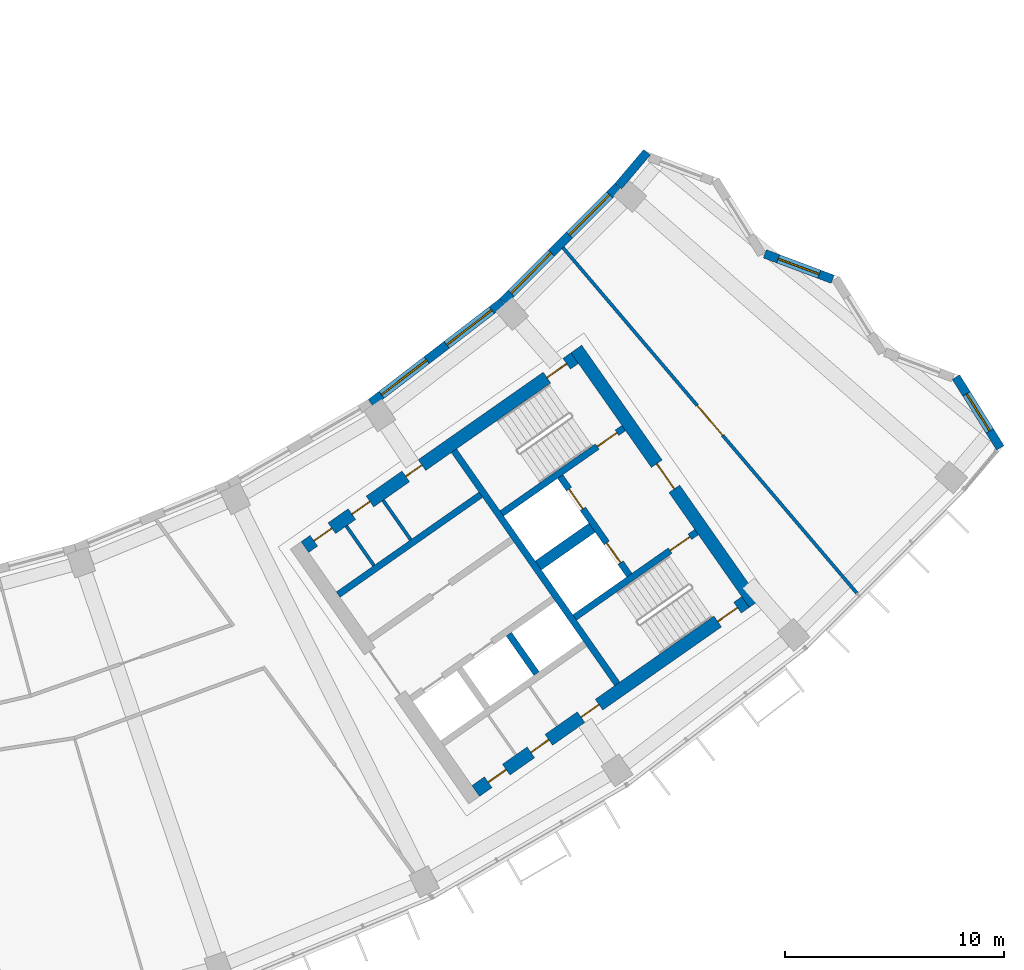
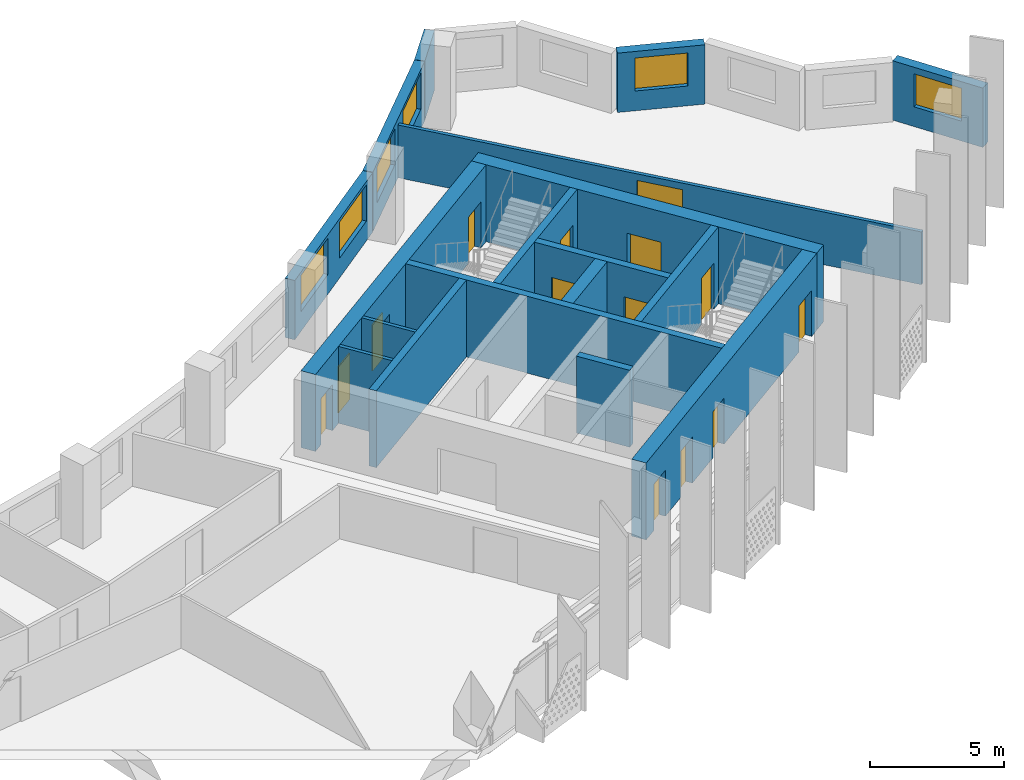
# One storey, part 7 of 28: 18 walls, 14 doors, 6 windows, 20 openings.
"""IFC4 building model written with IfcOpenShell, lengths in metres."""

from ifc_helpers import new_model, si_unit, direction, frame, frame_2d, origin, place, context, subcontext, project, spatial, rectangle, extrude, material, layer, layer_set, type_object, element, fill, save


model = new_model("IFC4")

# Units and contexts
model_context = context("Model", 3, precision=1e-05, world=origin(), true_north=direction((0.0, 1.0)))
body_context = subcontext(model_context, "Body", "Model", "MODEL_VIEW")
ifc_project = project(units=[si_unit("LENGTHUNIT", "METRE"), si_unit("AREAUNIT", "SQUARE_METRE"), si_unit("VOLUMEUNIT", "CUBIC_METRE"), si_unit("PLANEANGLEUNIT", "RADIAN"), si_unit("MASSUNIT", "GRAM", prefix="KILO")], contexts=[model_context])

# Site, building, storey
site_placement = place(None, origin())
site = spatial("IfcSite", under=ifc_project, at=site_placement, CompositionType="ELEMENT")
building_placement = place(site_placement, origin())
building = spatial("IfcBuilding", under=site, at=building_placement, Name="Qamariyya Broadcast Tower", CompositionType="ELEMENT")
storey_placement = place(building_placement, frame((0.0, 0.0, 226.5)))
storey = spatial("IfcBuildingStorey", under=building, at=storey_placement, Name="L54", CompositionType="ELEMENT", Elevation=226.5)

# Wall, opening, door
ifc_material_1 = material(Name="Concrete C60/75", Category="concrete")
ifc_layer_1 = layer(ifc_material_1, 0.60009765625)
ifc_layer_set_1 = layer_set([ifc_layer_1], Name="Core wall 600 mm Concrete C60/75")
wall_type_1 = type_object("IfcWallType", Name="Core wall 600 mm Concrete C60/75", PredefinedType="SHEAR", material=ifc_layer_set_1)
wall_1_placement = place(storey_placement, frame((49.4833984375, -57.031494140625, 0.0), z_axis=(0.0, 0.0, 1.0), x_axis=(-0.573560421458, 0.819163257805, 0.0)))
wall_1 = element("IfcWall", 1, at=wall_1_placement, inside=storey, type_object=wall_type_1, Name="k-E-L54-WH", PredefinedType="SHEAR", context=body_context, shape_type="SweptSolid", body=[
    extrude(rectangle(XDim=14.199951171875, YDim=0.60009765625, at=frame_2d((7.10009765625, 0.0))), origin(), (0.0, 0.0, 1.0), 3.5),
])
opening_1_placement = place(wall_1_placement, frame((6.39990234375, 0.0, 0.0)))
opening_1 = element("IfcOpeningElement", 2, at=opening_1_placement, cuts=wall_1, Name="Opening KD2-E1", PredefinedType="OPENING", context=body_context, shape_type="SweptSolid", body=[
    extrude(rectangle(XDim=1.39990234375, YDim=2.10009765625, at=frame_2d((0.699951171875, 1.050048828125))), frame((0.0, 0.31005859375, 0.0), z_axis=(0.0, -1.0, 0.0), x_axis=(1.0, 0.0, 0.0)), (0.0, 0.0, 1.0), 0.6201171875),
])
ifc_material_2 = material(Name="Steel fire-resisting door leaf", Category="steel")
door_type_1 = type_object("IfcDoorType", Name="Fire-fighting lobby door KD2", OperationType="DOUBLE_DOOR_SINGLE_SWING", PredefinedType="DOOR", material=ifc_material_2)
door_1_placement = place(opening_1_placement, origin())
door_1 = element("IfcDoor", 3, at=door_1_placement, inside=storey, type_object=door_type_1, Name="k-E-L54-WH-D13", OperationType="DOUBLE_DOOR_SINGLE_SWING", OverallHeight=2.10009765625, OverallWidth=1.39990234375, PredefinedType="DOOR", context=body_context, shape_type="SweptSolid", body=[
    extrude(rectangle(XDim=1.39990234375, YDim=2.10009765625, at=frame_2d((0.699951171875, 1.050048828125))), frame((0.0, 0.02490234375, 0.0), z_axis=(0.0, -1.0, 0.0), x_axis=(1.0, 0.0, 0.0)), (0.0, 0.0, 1.0), 0.050048828125),
])
fill(opening_1, door_1)

# Wall, openings, doors
wall_2_placement = place(storey_placement, frame((28.940673828125, -54.447021484375, 0.0), z_axis=(0.0, 0.0, 1.0), x_axis=(0.819153391756, 0.573574511963, 0.0)))
wall_2 = element("IfcWall", 4, at=wall_2_placement, inside=storey, type_object=wall_type_1, Name="k-E-L54-WI", PredefinedType="SHEAR", context=body_context, shape_type="SweptSolid", body=[
    extrude(rectangle(XDim=15.04541015625, YDim=0.60009765625, at=frame_2d((7.522705078125, 0.0))), origin(), (0.0, 0.0, 1.0), 3.5),
])
opening_2_placement = place(wall_2_placement, frame((0.5, 0.0, 0.0)))
opening_2 = element("IfcOpeningElement", 5, at=opening_2_placement, cuts=wall_2, Name="Opening KD6-E2", PredefinedType="OPENING", context=body_context, shape_type="SweptSolid", body=[
    extrude(rectangle(XDim=1.0, YDim=2.10009765625, at=frame_2d((0.5, 1.050048828125))), frame((0.0, 0.31005859375, 0.0), z_axis=(0.0, -1.0, 0.0), x_axis=(1.0, 0.0, 0.0)), (0.0, 0.0, 1.0), 0.6201171875),
])
opening_3_placement = place(wall_2_placement, frame((2.625, 0.0, 0.0)))
opening_3 = element("IfcOpeningElement", 6, at=opening_3_placement, cuts=wall_2, Name="Opening KD7-E1", PredefinedType="OPENING", context=body_context, shape_type="SweptSolid", body=[
    extrude(rectangle(XDim=1.0, YDim=2.10009765625, at=frame_2d((0.5, 1.050048828125))), frame((0.0, 0.31005859375, 0.0), z_axis=(0.0, -1.0, 0.0), x_axis=(1.0, 0.0, 0.0)), (0.0, 0.0, 1.0), 0.6201171875),
])
opening_4_placement = place(wall_2_placement, frame((5.625, 0.0, 0.0)))
opening_4 = element("IfcOpeningElement", 7, at=opening_4_placement, cuts=wall_2, Name="Opening KD5-E1", PredefinedType="OPENING", context=body_context, shape_type="SweptSolid", body=[
    extrude(rectangle(XDim=0.89990234375, YDim=2.10009765625, at=frame_2d((0.449951171875, 1.050048828125))), frame((0.0, 0.31005859375, 0.0), z_axis=(0.0, -1.0, 0.0), x_axis=(1.0, 0.0, 0.0)), (0.0, 0.0, 1.0), 0.6201171875),
])
opening_5_placement = place(wall_2_placement, frame((13.495361328125, 0.0, 0.0)))
opening_5 = element("IfcOpeningElement", 8, at=opening_5_placement, cuts=wall_2, Name="Opening KD1-E1", PredefinedType="OPENING", context=body_context, shape_type="SweptSolid", body=[
    extrude(rectangle(XDim=1.10009765625, YDim=2.10009765625, at=frame_2d((0.550048828125, 1.050048828125))), frame((0.0, 0.31005859375, 0.0), z_axis=(0.0, -1.0, 0.0), x_axis=(1.0, 0.0, 0.0)), (0.0, 0.0, 1.0), 0.6201171875),
])
door_type_2 = type_object("IfcDoorType", Name="Accessible toilet door KD7", OperationType="SINGLE_SWING_LEFT", PredefinedType="DOOR", material=ifc_material_2)
door_2_placement = place(opening_3_placement, origin())
door_2 = element("IfcDoor", 9, at=door_2_placement, inside=storey, type_object=door_type_2, Name="k-E-L54-WI-D6", OperationType="SINGLE_SWING_RIGHT", OverallHeight=2.10009765625, OverallWidth=1.0, PredefinedType="DOOR", context=body_context, shape_type="SweptSolid", body=[
    extrude(rectangle(XDim=1.0, YDim=2.10009765625, at=frame_2d((0.5, 1.050048828125))), frame((0.0, 0.02490234375, 0.0), z_axis=(0.0, -1.0, 0.0), x_axis=(1.0, 0.0, 0.0)), (0.0, 0.0, 1.0), 0.050048828125),
])
fill(opening_3, door_2)
door_type_3 = type_object("IfcDoorType", Name="Core room door KD6", OperationType="SINGLE_SWING_LEFT", PredefinedType="DOOR", material=ifc_material_2)
door_3_placement = place(opening_2_placement, origin())
door_3 = element("IfcDoor", 10, at=door_3_placement, inside=storey, type_object=door_type_3, Name="k-E-L54-WI-D5", OperationType="SINGLE_SWING_LEFT", OverallHeight=2.10009765625, OverallWidth=1.0, PredefinedType="DOOR", context=body_context, shape_type="SweptSolid", body=[
    extrude(rectangle(XDim=1.0, YDim=2.10009765625, at=frame_2d((0.5, 1.050048828125))), frame((0.0, 0.02490234375, 0.0), z_axis=(0.0, -1.0, 0.0), x_axis=(1.0, 0.0, 0.0)), (0.0, 0.0, 1.0), 0.050048828125),
])
fill(opening_2, door_3)
door_type_4 = type_object("IfcDoorType", Name="Stair door KD1", OperationType="SINGLE_SWING_LEFT", PredefinedType="DOOR", material=ifc_material_2)
door_4_placement = place(opening_5_placement, origin())
door_4 = element("IfcDoor", 11, at=door_4_placement, inside=storey, type_object=door_type_4, Name="k-E-L54-WI-D14", OperationType="SINGLE_SWING_RIGHT", OverallHeight=2.10009765625, OverallWidth=1.10009765625, PredefinedType="DOOR", context=body_context, shape_type="SweptSolid", body=[
    extrude(rectangle(XDim=1.10009765625, YDim=2.10009765625, at=frame_2d((0.550048828125, 1.050048828125))), frame((0.0, 0.02490234375, 0.0), z_axis=(0.0, -1.0, 0.0), x_axis=(1.0, 0.0, 0.0)), (0.0, 0.0, 1.0), 0.050048828125),
])
fill(opening_5, door_4)
door_type_5 = type_object("IfcDoorType", Name="Toilet door KD5", OperationType="SINGLE_SWING_LEFT", PredefinedType="DOOR", material=ifc_material_2)
door_5_placement = place(opening_4_placement, origin())
door_5 = element("IfcDoor", 12, at=door_5_placement, inside=storey, type_object=door_type_5, Name="k-E-L54-WI-D7", OperationType="SINGLE_SWING_LEFT", OverallHeight=2.10009765625, OverallWidth=0.89990234375, PredefinedType="DOOR", context=body_context, shape_type="SweptSolid", body=[
    extrude(rectangle(XDim=0.89990234375, YDim=2.10009765625, at=frame_2d((0.449951171875, 1.050048828125))), frame((0.0, 0.02490234375, 0.0), z_axis=(0.0, -1.0, 0.0), x_axis=(1.0, 0.0, 0.0)), (0.0, 0.0, 1.0), 0.050048828125),
])
fill(opening_4, door_5)

wall_3_placement = place(storey_placement, frame((36.7412109375, -65.58740234375, 0.0), z_axis=(0.0, 0.0, 1.0), x_axis=(0.819153391756, 0.573574511963, 0.0)))
wall_3 = element("IfcWall", 13, at=wall_3_placement, inside=storey, type_object=wall_type_1, Name="k-E-L54-WO", PredefinedType="SHEAR", context=body_context, shape_type="SweptSolid", body=[
    extrude(rectangle(XDim=15.04541015625, YDim=0.60009765625, at=frame_2d((7.522705078125, 0.0))), origin(), (0.0, 0.0, 1.0), 3.5),
])
opening_6_placement = place(wall_3_placement, frame((0.699951171875, 0.0, 0.0)))
opening_6 = element("IfcOpeningElement", 14, at=opening_6_placement, cuts=wall_3, Name="Opening KD6-E3", PredefinedType="OPENING", context=body_context, shape_type="SweptSolid", body=[
    extrude(rectangle(XDim=1.0, YDim=2.10009765625, at=frame_2d((0.5, 1.050048828125))), frame((0.0, 0.31005859375, 0.0), z_axis=(0.0, -1.0, 0.0), x_axis=(1.0, 0.0, 0.0)), (0.0, 0.0, 1.0), 0.6201171875),
])
opening_7_placement = place(wall_3_placement, frame((3.074951171875, 0.0, 0.0)))
opening_7 = element("IfcOpeningElement", 15, at=opening_7_placement, cuts=wall_3, Name="Opening KD4-E1", PredefinedType="OPENING", context=body_context, shape_type="SweptSolid", body=[
    extrude(rectangle(XDim=1.0, YDim=2.10009765625, at=frame_2d((0.5, 1.050048828125))), frame((0.0, 0.31005859375, 0.0), z_axis=(0.0, -1.0, 0.0), x_axis=(1.0, 0.0, 0.0)), (0.0, 0.0, 1.0), 0.6201171875),
])
opening_8_placement = place(wall_3_placement, frame((5.875, 0.0, 0.0)))
opening_8 = element("IfcOpeningElement", 16, at=opening_8_placement, cuts=wall_3, Name="Opening KD4-E2", PredefinedType="OPENING", context=body_context, shape_type="SweptSolid", body=[
    extrude(rectangle(XDim=1.0, YDim=2.10009765625, at=frame_2d((0.5, 1.050048828125))), frame((0.0, 0.31005859375, 0.0), z_axis=(0.0, -1.0, 0.0), x_axis=(1.0, 0.0, 0.0)), (0.0, 0.0, 1.0), 0.6201171875),
])
opening_9_placement = place(wall_3_placement, frame((13.495361328125, 0.0, 0.0)))
opening_9 = element("IfcOpeningElement", 17, at=opening_9_placement, cuts=wall_3, Name="Opening KD1-E3", PredefinedType="OPENING", context=body_context, shape_type="SweptSolid", body=[
    extrude(rectangle(XDim=1.10009765625, YDim=2.10009765625, at=frame_2d((0.550048828125, 1.050048828125))), frame((0.0, 0.31005859375, 0.0), z_axis=(0.0, -1.0, 0.0), x_axis=(1.0, 0.0, 0.0)), (0.0, 0.0, 1.0), 0.6201171875),
])
door_6_placement = place(opening_6_placement, origin())
door_6 = element("IfcDoor", 18, at=door_6_placement, inside=storey, type_object=door_type_3, Name="k-E-L54-WO-D8", OperationType="SINGLE_SWING_RIGHT", OverallHeight=2.10009765625, OverallWidth=1.0, PredefinedType="DOOR", context=body_context, shape_type="SweptSolid", body=[
    extrude(rectangle(XDim=1.0, YDim=2.10009765625, at=frame_2d((0.5, 1.050048828125))), frame((0.0, 0.02490234375, 0.0), z_axis=(0.0, -1.0, 0.0), x_axis=(1.0, 0.0, 0.0)), (0.0, 0.0, 1.0), 0.050048828125),
])
fill(opening_6, door_6)
door_type_6 = type_object("IfcDoorType", Name="Riser and plant door KD4", OperationType="SINGLE_SWING_LEFT", PredefinedType="DOOR", material=ifc_material_2)
door_7_placement = place(opening_7_placement, origin())
door_7 = element("IfcDoor", 19, at=door_7_placement, inside=storey, type_object=door_type_6, Name="k-E-L54-WO-D9", OperationType="SINGLE_SWING_LEFT", OverallHeight=2.10009765625, OverallWidth=1.0, PredefinedType="DOOR", context=body_context, shape_type="SweptSolid", body=[
    extrude(rectangle(XDim=1.0, YDim=2.10009765625, at=frame_2d((0.5, 1.050048828125))), frame((0.0, 0.02490234375, 0.0), z_axis=(0.0, -1.0, 0.0), x_axis=(1.0, 0.0, 0.0)), (0.0, 0.0, 1.0), 0.050048828125),
])
fill(opening_7, door_7)
door_8_placement = place(opening_8_placement, origin())
door_8 = element("IfcDoor", 20, at=door_8_placement, inside=storey, type_object=door_type_6, Name="k-E-L54-WO-D10", OperationType="SINGLE_SWING_RIGHT", OverallHeight=2.10009765625, OverallWidth=1.0, PredefinedType="DOOR", context=body_context, shape_type="SweptSolid", body=[
    extrude(rectangle(XDim=1.0, YDim=2.10009765625, at=frame_2d((0.5, 1.050048828125))), frame((0.0, 0.02490234375, 0.0), z_axis=(0.0, -1.0, 0.0), x_axis=(1.0, 0.0, 0.0)), (0.0, 0.0, 1.0), 0.050048828125),
])
fill(opening_8, door_8)
door_9_placement = place(opening_9_placement, origin())
door_9 = element("IfcDoor", 21, at=door_9_placement, inside=storey, type_object=door_type_4, Name="k-E-L54-WO-D16", OperationType="SINGLE_SWING_LEFT", OverallHeight=2.10009765625, OverallWidth=1.10009765625, PredefinedType="DOOR", context=body_context, shape_type="SweptSolid", body=[
    extrude(rectangle(XDim=1.10009765625, YDim=2.10009765625, at=frame_2d((0.550048828125, 1.050048828125))), frame((0.0, 0.02490234375, 0.0), z_axis=(0.0, -1.0, 0.0), x_axis=(1.0, 0.0, 0.0)), (0.0, 0.0, 1.0), 0.050048828125),
])
fill(opening_9, door_9)

# Wall, opening, door
ifc_material_3 = material(Name="Gypsum board partition")
ifc_layer_2 = layer(ifc_material_3, 0.14990234375)
ifc_layer_set_2 = layer_set([ifc_layer_2], Name="Corridor partition 150 EI 60")
wall_type_2 = type_object("IfcWallType", Name="Corridor partition 150 EI 60", PredefinedType="PARTITIONING", material=ifc_layer_set_2)
wall_4_placement = place(storey_placement, frame((40.724853515625, -40.7705078125, 0.0), z_axis=(0.0, 0.0, 1.0), x_axis=(0.647962636986, -0.761672121762, 0.0)))
wall_4 = element("IfcWall", 22, at=wall_4_placement, inside=storey, type_object=wall_type_2, Name="Partition L54-028", PredefinedType="PARTITIONING", context=body_context, shape_type="SweptSolid", body=[
    extrude(rectangle(XDim=20.723388671875, YDim=0.14990234375, at=frame_2d((10.36181640625, 0.0))), origin(), (0.0, 0.0, 1.0), 2.39990234375),
])
opening_10_placement = place(wall_4_placement, frame((9.461669921875, 0.0, 0.0)))
opening_10 = element("IfcOpeningElement", 23, at=opening_10_placement, cuts=wall_4, Name="Opening L54-D14", PredefinedType="OPENING", context=body_context, shape_type="SweptSolid", body=[
    extrude(rectangle(XDim=1.800048828125, YDim=2.10009765625, at=frame_2d((0.89990234375, 1.050048828125))), frame((0.0, 0.0849609375, 0.0), z_axis=(0.0, -1.0, 0.0), x_axis=(1.0, 0.0, 0.0)), (0.0, 0.0, 1.0), 0.169921875),
])
ifc_material_4 = material(Name="Timber fire door leaf", Category="wood")
door_type_7 = type_object("IfcDoorType", Name="Double fire door 1800 x 2100 FD60", OperationType="NOTDEFINED", PredefinedType="DOOR", material=ifc_material_4)
door_10_placement = place(opening_10_placement, origin())
door_10 = element("IfcDoor", 24, at=door_10_placement, inside=storey, type_object=door_type_7, Name="Door L54-D14", OperationType="DOUBLE_DOOR_SINGLE_SWING", OverallHeight=2.10009765625, OverallWidth=1.800048828125, PredefinedType="DOOR", context=body_context, shape_type="SweptSolid", body=[
    extrude(rectangle(XDim=1.800048828125, YDim=2.10009765625, at=frame_2d((0.89990234375, 1.050048828125))), frame((0.0, 0.02490234375, 0.0), z_axis=(0.0, -1.0, 0.0), x_axis=(1.0, 0.0, 0.0)), (0.0, 0.0, 1.0), 0.050048828125),
])
fill(opening_10, door_10)

# Walls
ifc_layer_3 = layer(ifc_material_1, 0.5)
ifc_layer_set_3 = layer_set([ifc_layer_3], Name="Fire-fighting lobby divider wall 500 mm Concrete C60/75")
wall_type_3 = type_object("IfcWallType", Name="Fire-fighting lobby divider wall 500 mm Concrete C60/75", PredefinedType="SOLIDWALL", material=ifc_layer_set_3)
wall_5_placement = place(storey_placement, frame((39.59912109375, -55.28515625, 0.0), z_axis=(0.0, 0.0, 1.0), x_axis=(0.819136323161, 0.573598887793, 0.0)))
element("IfcWall", 25, at=wall_5_placement, inside=storey, type_object=wall_type_3, Name="k-E-L54-FD", PredefinedType="SOLIDWALL", context=body_context, shape_type="SweptSolid", body=[
    extrude(rectangle(XDim=2.999755859375, YDim=0.5, at=frame_2d((1.5, 0.0))), origin(), (0.0, 0.0, 1.0), 3.5),
])
ifc_material_5 = material(Name="Gypsum board partition on steel studs", Category="steel")
ifc_layer_4 = layer(ifc_material_5, 0.14990234375)
ifc_layer_set_4 = layer_set([ifc_layer_4], Name="Gypsum board partition 150 mm")
wall_type_4 = type_object("IfcWallType", Name="Gypsum board partition 150 mm", PredefinedType="PARTITIONING", material=ifc_layer_set_4)
wall_6_placement = place(storey_placement, frame((32.0947265625, -55.290283203125, 0.0), z_axis=(0.0, 0.0, 1.0), x_axis=(-0.573559170999, 0.819164133348, 0.0)))
element("IfcWall", 26, at=wall_6_placement, inside=storey, type_object=wall_type_4, Name="k-E-L54-NP210", PredefinedType="PARTITIONING", context=body_context, shape_type="SweptSolid", body=[
    extrude(rectangle(XDim=2.19970703125, YDim=0.14990234375, at=frame_2d((1.099853515625, 0.0))), origin(), (0.0, 0.0, 1.0), 3.5),
])
wall_7_placement = place(storey_placement, frame((33.774169921875, -54.114501953125, 0.0), z_axis=(0.0, 0.0, 1.0), x_axis=(-0.573581496053, 0.819148501424, 0.0)))
element("IfcWall", 27, at=wall_7_placement, inside=storey, type_object=wall_type_4, Name="k-E-L54-NP415", PredefinedType="PARTITIONING", context=body_context, shape_type="SweptSolid", body=[
    extrude(rectangle(XDim=2.2001953125, YDim=0.14990234375, at=frame_2d((1.10009765625, 0.0))), origin(), (0.0, 0.0, 1.0), 3.5),
])
ifc_layer_5 = layer(ifc_material_1, 0.300048828125)
ifc_layer_set_5 = layer_set([ifc_layer_5], Name="Lift shaft wall 300 mm Concrete C60/75")
wall_type_5 = type_object("IfcWallType", Name="Lift shaft wall 300 mm Concrete C60/75", PredefinedType="SOLIDWALL", material=ifc_layer_set_5)
wall_8_placement = place(storey_placement, frame((43.204345703125, -60.69580078125, 0.0), z_axis=(0.0, 0.0, 1.0), x_axis=(-0.573571992966, 0.819155155563, 0.0)))
element("IfcWall", 28, at=wall_8_placement, inside=storey, type_object=wall_type_5, Name="k-E-L54-WL", PredefinedType="SOLIDWALL", context=body_context, shape_type="SweptSolid", body=[
    extrude(rectangle(XDim=13.000244140625, YDim=0.300048828125, at=frame_2d((6.5, 0.0))), origin(), (0.0, 0.0, 1.0), 3.5),
])
wall_9_placement = place(storey_placement, frame((30.460693359375, -56.61767578125, 0.0), z_axis=(0.0, 0.0, 1.0), x_axis=(0.819142461705, 0.573590121456, 0.0)))
element("IfcWall", 29, at=wall_9_placement, inside=storey, type_object=wall_type_5, Name="k-E-L54-NB0", PredefinedType="SOLIDWALL", context=body_context, shape_type="SweptSolid", body=[
    extrude(rectangle(XDim=7.949951171875, YDim=0.300048828125, at=frame_2d((3.97509765625, 0.0))), origin(), (0.0, 0.0, 1.0), 3.5),
])
wall_10_placement = place(storey_placement, frame((38.255859375, -58.423095703125, 0.0), z_axis=(0.0, 0.0, 1.0), x_axis=(0.573633636671, -0.819111989218, 0.0)))
element("IfcWall", 30, at=wall_10_placement, inside=storey, type_object=wall_type_5, Name="k-E-L54-SD1", PredefinedType="SOLIDWALL", context=body_context, shape_type="SweptSolid", body=[
    extrude(rectangle(XDim=2.199951171875, YDim=0.300048828125, at=frame_2d((1.10009765625, 0.0))), origin(), (0.0, 0.0, 1.0), 3.5),
])

# Wall, opening, door
wall_11_placement = place(storey_placement, frame((37.935546875, -52.90966796875, 0.0), z_axis=(0.0, 0.0, 1.0), x_axis=(0.819147518138, 0.57358290031, 0.0)))
wall_11 = element("IfcWall", 31, at=wall_11_placement, inside=storey, type_object=wall_type_5, Name="k-E-L54-NW", PredefinedType="SOLIDWALL", context=body_context, shape_type="SweptSolid", body=[
    extrude(rectangle(XDim=6.79541015625, YDim=0.300048828125, at=frame_2d((3.397705078125, 0.0))), origin(), (0.0, 0.0, 1.0), 3.5),
])
opening_11_placement = place(wall_11_placement, frame((5.3203125, 0.0, 0.0)))
opening_11 = element("IfcOpeningElement", 32, at=opening_11_placement, cuts=wall_11, Name="Opening KD1-E2", PredefinedType="OPENING", context=body_context, shape_type="SweptSolid", body=[
    extrude(rectangle(XDim=1.10009765625, YDim=2.10009765625, at=frame_2d((0.550048828125, 1.050048828125))), frame((0.0, 0.159912109375, 0.0), z_axis=(0.0, -1.0, 0.0), x_axis=(1.0, 0.0, 0.0)), (0.0, 0.0, 1.0), 0.320068359375),
])
door_11_placement = place(opening_11_placement, origin())
door_11 = element("IfcDoor", 33, at=door_11_placement, inside=storey, type_object=door_type_4, Name="k-E-L54-NW-D15", OperationType="SINGLE_SWING_LEFT", OverallHeight=2.10009765625, OverallWidth=1.10009765625, PredefinedType="DOOR", context=body_context, shape_type="SweptSolid", body=[
    extrude(rectangle(XDim=1.10009765625, YDim=2.10009765625, at=frame_2d((0.550048828125, 1.050048828125))), frame((0.0, 0.02490234375, 0.0), z_axis=(0.0, -1.0, 0.0), x_axis=(1.0, 0.0, 0.0)), (0.0, 0.0, 1.0), 0.050048828125),
])
fill(opening_11, door_11)

wall_12_placement = place(storey_placement, frame((41.262451171875, -57.66064453125, 0.0), z_axis=(0.0, 0.0, 1.0), x_axis=(0.819164398642, 0.573558792102, 0.0)))
wall_12 = element("IfcWall", 34, at=wall_12_placement, inside=storey, type_object=wall_type_5, Name="k-E-L54-SW", PredefinedType="SOLIDWALL", context=body_context, shape_type="SweptSolid", body=[
    extrude(rectangle(XDim=6.795166015625, YDim=0.300048828125, at=frame_2d((3.3974609375, 0.0))), origin(), (0.0, 0.0, 1.0), 3.5),
])
opening_12_placement = place(wall_12_placement, frame((5.3203125, 0.0, 0.0)))
opening_12 = element("IfcOpeningElement", 35, at=opening_12_placement, cuts=wall_12, Name="Opening KD1-E4", PredefinedType="OPENING", context=body_context, shape_type="SweptSolid", body=[
    extrude(rectangle(XDim=1.10009765625, YDim=2.10009765625, at=frame_2d((0.550048828125, 1.050048828125))), frame((0.0, 0.159912109375, 0.0), z_axis=(0.0, -1.0, 0.0), x_axis=(1.0, 0.0, 0.0)), (0.0, 0.0, 1.0), 0.320068359375),
])
door_12_placement = place(opening_12_placement, origin())
door_12 = element("IfcDoor", 36, at=door_12_placement, inside=storey, type_object=door_type_4, Name="k-E-L54-SW-D17", OperationType="SINGLE_SWING_LEFT", OverallHeight=2.10009765625, OverallWidth=1.10009765625, PredefinedType="DOOR", context=body_context, shape_type="SweptSolid", body=[
    extrude(rectangle(XDim=1.10009765625, YDim=2.10009765625, at=frame_2d((0.550048828125, 1.050048828125))), frame((0.0, 0.02490234375, 0.0), z_axis=(0.0, -1.0, 0.0), x_axis=(1.0, 0.0, 0.0)), (0.0, 0.0, 1.0), 0.050048828125),
])
fill(opening_12, door_12)

# Wall, openings, doors
wall_13_placement = place(storey_placement, frame((43.756591796875, -55.731201171875, 0.0), z_axis=(0.0, 0.0, 1.0), x_axis=(-0.573536818435, 0.819179783625, 0.0)))
wall_13 = element("IfcWall", 37, at=wall_13_placement, inside=storey, type_object=wall_type_5, Name="k-E-L54-FF", PredefinedType="SOLIDWALL", context=body_context, shape_type="SweptSolid", body=[
    extrude(rectangle(XDim=5.500244140625, YDim=0.300048828125, at=frame_2d((2.75, 0.0))), origin(), (0.0, 0.0, 1.0), 3.5),
])
opening_13_placement = place(wall_13_placement, frame((0.699951171875, 0.0, 0.0)))
opening_13 = element("IfcOpeningElement", 38, at=opening_13_placement, cuts=wall_13, Name="Opening LD", PredefinedType="OPENING", context=body_context, shape_type="SweptSolid", body=[
    extrude(rectangle(XDim=1.10009765625, YDim=2.10009765625, at=frame_2d((0.550048828125, 1.050048828125))), frame((0.0, 0.159912109375, 0.0), z_axis=(0.0, -1.0, 0.0), x_axis=(1.0, 0.0, 0.0)), (0.0, 0.0, 1.0), 0.320068359375),
])
opening_14_placement = place(wall_13_placement, frame((3.699951171875, 0.0, 0.0)))
opening_14 = element("IfcOpeningElement", 39, at=opening_14_placement, cuts=wall_13, Name="Opening LD", PredefinedType="OPENING", context=body_context, shape_type="SweptSolid", body=[
    extrude(rectangle(XDim=1.10009765625, YDim=2.10009765625, at=frame_2d((0.550048828125, 1.050048828125))), frame((0.0, 0.159912109375, 0.0), z_axis=(0.0, -1.0, 0.0), x_axis=(1.0, 0.0, 0.0)), (0.0, 0.0, 1.0), 0.320068359375),
])
door_type_8 = type_object("IfcDoorType", Name="Lift landing door LD", OperationType="DOUBLE_DOOR_SLIDING", PredefinedType="DOOR", material=ifc_material_2)
door_13_placement = place(opening_13_placement, origin())
door_13 = element("IfcDoor", 40, at=door_13_placement, inside=storey, type_object=door_type_8, Name="k-E-L54-FF-D11", OperationType="DOUBLE_DOOR_SLIDING", OverallHeight=2.10009765625, OverallWidth=1.10009765625, PredefinedType="DOOR", context=body_context, shape_type="SweptSolid", body=[
    extrude(rectangle(XDim=1.10009765625, YDim=2.10009765625, at=frame_2d((0.550048828125, 1.050048828125))), frame((0.0, 0.02490234375, 0.0), z_axis=(0.0, -1.0, 0.0), x_axis=(1.0, 0.0, 0.0)), (0.0, 0.0, 1.0), 0.050048828125),
])
fill(opening_13, door_13)
door_14_placement = place(opening_14_placement, origin())
door_14 = element("IfcDoor", 41, at=door_14_placement, inside=storey, type_object=door_type_8, Name="k-E-L54-FF-D12", OperationType="DOUBLE_DOOR_SLIDING", OverallHeight=2.10009765625, OverallWidth=1.10009765625, PredefinedType="DOOR", context=body_context, shape_type="SweptSolid", body=[
    extrude(rectangle(XDim=1.10009765625, YDim=2.10009765625, at=frame_2d((0.550048828125, 1.050048828125))), frame((0.0, 0.02490234375, 0.0), z_axis=(0.0, -1.0, 0.0), x_axis=(1.0, 0.0, 0.0)), (0.0, 0.0, 1.0), 0.050048828125),
])
fill(opening_14, door_14)

# Wall, opening, window
ifc_material_6 = material(Name="Terracotta", Category="masonry")
ifc_layer_6 = layer(ifc_material_6, 0.39990234375)
ifc_layer_set_6 = layer_set([ifc_layer_6], Name="Terracotta clad wall 400")
wall_type_6 = type_object("IfcWallType", Name="Terracotta clad wall 400", PredefinedType="SOLIDWALL", material=ifc_layer_set_6)
wall_14_placement = place(storey_placement, frame((60.7001953125, -49.912841796875, 0.0), z_axis=(0.0, 0.0, 1.0), x_axis=(-0.531064445745, 0.847331431298, 0.0)))
wall_14 = element("IfcWall", 42, at=wall_14_placement, inside=storey, type_object=wall_type_6, Name="e-wl-L54-capE0", PredefinedType="SOLIDWALL", context=body_context, shape_type="SweptSolid", body=[
    extrude(rectangle(XDim=3.808837890625, YDim=0.39990234375, at=frame_2d((1.904296875, 0.0))), origin(), (0.0, 0.0, 1.0), 2.699951171875),
])
opening_15_placement = place(wall_14_placement, frame((0.904296875, 0.0, 0.89990234375)))
opening_15 = element("IfcOpeningElement", 43, at=opening_15_placement, cuts=wall_14, Name="Opening W4", PredefinedType="OPENING", context=body_context, shape_type="SweptSolid", body=[
    extrude(rectangle(XDim=2.0, YDim=1.5, at=frame_2d((1.0, 0.75))), frame((0.0, 0.2099609375, 0.0), z_axis=(0.0, -1.0, 0.0), x_axis=(1.0, 0.0, 0.0)), (0.0, 0.0, 1.0), 0.419921875),
])
ifc_material_7 = material(Name="Clear low-e double glazed unit in aluminium frame", Category="aluminium")
window_type_1 = type_object("IfcWindowType", Name="Horn bay window 2000 x 1500", PartitioningType="SINGLE_PANEL", PredefinedType="WINDOW", material=ifc_material_7)
window_1_placement = place(opening_15_placement, origin())
window_1 = element("IfcWindow", 44, at=window_1_placement, inside=storey, type_object=window_type_1, Name="e-w-L54-capE0", OverallHeight=1.5, OverallWidth=2.0, PartitioningType="SINGLE_PANEL", PredefinedType="WINDOW", context=body_context, shape_type="SweptSolid", body=[
    extrude(rectangle(XDim=2.0, YDim=1.5, at=frame_2d((1.0, 0.75))), frame((0.0, 0.030029296875, 0.0), z_axis=(0.0, -1.0, 0.0), x_axis=(1.0, 0.0, 0.0)), (0.0, 0.0, 1.0), 0.06005859375),
])
fill(opening_15, window_1)

wall_15_placement = place(storey_placement, frame((53.04296875, -42.21435546875, 0.0), z_axis=(0.0, 0.0, 1.0), x_axis=(-0.936289701159, 0.35122869402, 0.0)))
wall_15 = element("IfcWall", 45, at=wall_15_placement, inside=storey, type_object=wall_type_6, Name="e-wl-L54-capE3", PredefinedType="SOLIDWALL", context=body_context, shape_type="SweptSolid", body=[
    extrude(rectangle(XDim=3.304443359375, YDim=0.39990234375, at=frame_2d((1.65234375, 0.0))), origin(), (0.0, 0.0, 1.0), 2.699951171875),
])
opening_16_placement = place(wall_15_placement, frame((0.652099609375, 0.0, 0.89990234375)))
opening_16 = element("IfcOpeningElement", 46, at=opening_16_placement, cuts=wall_15, Name="Opening W4", PredefinedType="OPENING", context=body_context, shape_type="SweptSolid", body=[
    extrude(rectangle(XDim=2.0, YDim=1.5, at=frame_2d((1.0, 0.75))), frame((0.0, 0.2099609375, 0.0), z_axis=(0.0, -1.0, 0.0), x_axis=(1.0, 0.0, 0.0)), (0.0, 0.0, 1.0), 0.419921875),
])
window_2_placement = place(opening_16_placement, origin())
window_2 = element("IfcWindow", 47, at=window_2_placement, inside=storey, type_object=window_type_1, Name="e-w-L54-capE3", OverallHeight=1.5, OverallWidth=2.0, PartitioningType="SINGLE_PANEL", PredefinedType="WINDOW", context=body_context, shape_type="SweptSolid", body=[
    extrude(rectangle(XDim=2.0, YDim=1.5, at=frame_2d((1.0, 0.75))), frame((0.0, 0.030029296875, 0.0), z_axis=(0.0, -1.0, 0.0), x_axis=(1.0, 0.0, 0.0)), (0.0, 0.0, 1.0), 0.06005859375),
])
fill(opening_16, window_2)

# Wall, openings, windows
wall_16_placement = place(storey_placement, frame((37.965576171875, -43.25341796875, 0.0), z_axis=(0.0, 0.0, 1.0), x_axis=(-0.793356365089, -0.608757486995, 0.0)))
wall_16 = element("IfcWall", 48, at=wall_16_placement, inside=storey, type_object=wall_type_6, Name="e-wl-L54-in130", PredefinedType="SOLIDWALL", context=body_context, shape_type="SweptSolid", body=[
    extrude(rectangle(XDim=7.578125, YDim=0.39990234375, at=frame_2d((3.7890625, 0.0))), origin(), (0.0, 0.0, 1.0), 2.699951171875),
])
opening_17_placement = place(wall_16_placement, frame((4.364501953125, 0.0, 0.89990234375)))
opening_17 = element("IfcOpeningElement", 49, at=opening_17_placement, cuts=wall_16, Name="Opening W1", PredefinedType="OPENING", context=body_context, shape_type="SweptSolid", body=[
    extrude(rectangle(XDim=2.60009765625, YDim=1.64990234375, at=frame_2d((1.300048828125, 0.824951171875))), frame((0.0, 0.2099609375, 0.0), z_axis=(0.0, -1.0, 0.0), x_axis=(1.0, 0.0, 0.0)), (0.0, 0.0, 1.0), 0.419921875),
])
opening_18_placement = place(wall_16_placement, frame((0.613525390625, 0.0, 0.89990234375)))
opening_18 = element("IfcOpeningElement", 50, at=opening_18_placement, cuts=wall_16, Name="Opening W1", PredefinedType="OPENING", context=body_context, shape_type="SweptSolid", body=[
    extrude(rectangle(XDim=2.60009765625, YDim=1.64990234375, at=frame_2d((1.300048828125, 0.824951171875))), frame((0.0, 0.2099609375, 0.0), z_axis=(0.0, -1.0, 0.0), x_axis=(1.0, 0.0, 0.0)), (0.0, 0.0, 1.0), 0.419921875),
])
window_type_2 = type_object("IfcWindowType", Name="Ribbon window 2600 x 1650", PartitioningType="SINGLE_PANEL", PredefinedType="WINDOW", material=ifc_material_7)
window_3_placement = place(opening_17_placement, origin())
window_3 = element("IfcWindow", 51, at=window_3_placement, inside=storey, type_object=window_type_2, Name="e-w-L54-in13-0", OverallHeight=1.64990234375, OverallWidth=2.60009765625, PartitioningType="SINGLE_PANEL", PredefinedType="WINDOW", context=body_context, shape_type="SweptSolid", body=[
    extrude(rectangle(XDim=2.60009765625, YDim=1.64990234375, at=frame_2d((1.300048828125, 0.824951171875))), frame((0.0, 0.030029296875, 0.0), z_axis=(0.0, -1.0, 0.0), x_axis=(1.0, 0.0, 0.0)), (0.0, 0.0, 1.0), 0.06005859375),
])
fill(opening_17, window_3)
window_4_placement = place(opening_18_placement, origin())
window_4 = element("IfcWindow", 52, at=window_4_placement, inside=storey, type_object=window_type_2, Name="e-w-L54-in13-1", OverallHeight=1.64990234375, OverallWidth=2.60009765625, PartitioningType="SINGLE_PANEL", PredefinedType="WINDOW", context=body_context, shape_type="SweptSolid", body=[
    extrude(rectangle(XDim=2.60009765625, YDim=1.64990234375, at=frame_2d((1.300048828125, 0.824951171875))), frame((0.0, 0.030029296875, 0.0), z_axis=(0.0, -1.0, 0.0), x_axis=(1.0, 0.0, 0.0)), (0.0, 0.0, 1.0), 0.06005859375),
])
fill(opening_18, window_4)

wall_17_placement = place(storey_placement, frame((43.2431640625, -37.97119140625, 0.0), z_axis=(0.0, 0.0, 1.0), x_axis=(-0.707106781187, -0.707106781187, 0.0)))
wall_17 = element("IfcWall", 53, at=wall_17_placement, inside=storey, type_object=wall_type_6, Name="e-wl-L54-in140", PredefinedType="SOLIDWALL", context=body_context, shape_type="SweptSolid", body=[
    extrude(rectangle(XDim=7.441162109375, YDim=0.39990234375, at=frame_2d((3.720703125, 0.0))), origin(), (0.0, 0.0, 1.0), 2.699951171875),
])
opening_19_placement = place(wall_17_placement, frame((4.30322265625, 0.0, 0.89990234375)))
opening_19 = element("IfcOpeningElement", 54, at=opening_19_placement, cuts=wall_17, Name="Opening W1", PredefinedType="OPENING", context=body_context, shape_type="SweptSolid", body=[
    extrude(rectangle(XDim=2.60009765625, YDim=1.64990234375, at=frame_2d((1.300048828125, 0.824951171875))), frame((0.0, 0.2099609375, 0.0), z_axis=(0.0, -1.0, 0.0), x_axis=(1.0, 0.0, 0.0)), (0.0, 0.0, 1.0), 0.419921875),
])
opening_20_placement = place(wall_17_placement, frame((0.552490234375, 0.0, 0.89990234375)))
opening_20 = element("IfcOpeningElement", 55, at=opening_20_placement, cuts=wall_17, Name="Opening W1", PredefinedType="OPENING", context=body_context, shape_type="SweptSolid", body=[
    extrude(rectangle(XDim=2.60009765625, YDim=1.64990234375, at=frame_2d((1.300048828125, 0.824951171875))), frame((0.0, 0.2099609375, 0.0), z_axis=(0.0, -1.0, 0.0), x_axis=(1.0, 0.0, 0.0)), (0.0, 0.0, 1.0), 0.419921875),
])
window_5_placement = place(opening_19_placement, origin())
window_5 = element("IfcWindow", 56, at=window_5_placement, inside=storey, type_object=window_type_2, Name="e-w-L54-in14-0", OverallHeight=1.64990234375, OverallWidth=2.60009765625, PartitioningType="SINGLE_PANEL", PredefinedType="WINDOW", context=body_context, shape_type="SweptSolid", body=[
    extrude(rectangle(XDim=2.60009765625, YDim=1.64990234375, at=frame_2d((1.300048828125, 0.824951171875))), frame((0.0, 0.030029296875, 0.0), z_axis=(0.0, -1.0, 0.0), x_axis=(1.0, 0.0, 0.0)), (0.0, 0.0, 1.0), 0.06005859375),
])
fill(opening_19, window_5)
window_6_placement = place(opening_20_placement, origin())
window_6 = element("IfcWindow", 57, at=window_6_placement, inside=storey, type_object=window_type_2, Name="e-w-L54-in14-1", OverallHeight=1.64990234375, OverallWidth=2.60009765625, PartitioningType="SINGLE_PANEL", PredefinedType="WINDOW", context=body_context, shape_type="SweptSolid", body=[
    extrude(rectangle(XDim=2.60009765625, YDim=1.64990234375, at=frame_2d((1.300048828125, 0.824951171875))), frame((0.0, 0.030029296875, 0.0), z_axis=(0.0, -1.0, 0.0), x_axis=(1.0, 0.0, 0.0)), (0.0, 0.0, 1.0), 0.06005859375),
])
fill(opening_20, window_6)

# Wall
wall_18_placement = place(storey_placement, frame((44.566162109375, -36.41357421875, 0.0), z_axis=(0.0, 0.0, 1.0), x_axis=(-0.646417154447, -0.762984182298, 0.0)))
element("IfcWall", 58, at=wall_18_placement, inside=storey, type_object=wall_type_6, Name="e-wl-L54-in150", PredefinedType="SOLIDWALL", context=body_context, shape_type="SweptSolid", body=[
    extrude(rectangle(XDim=2.02734375, YDim=0.39990234375, at=frame_2d((1.013671875, 0.0))), origin(), (0.0, 0.0, 1.0), 2.699951171875),
])

save(model, "model.ifc")
